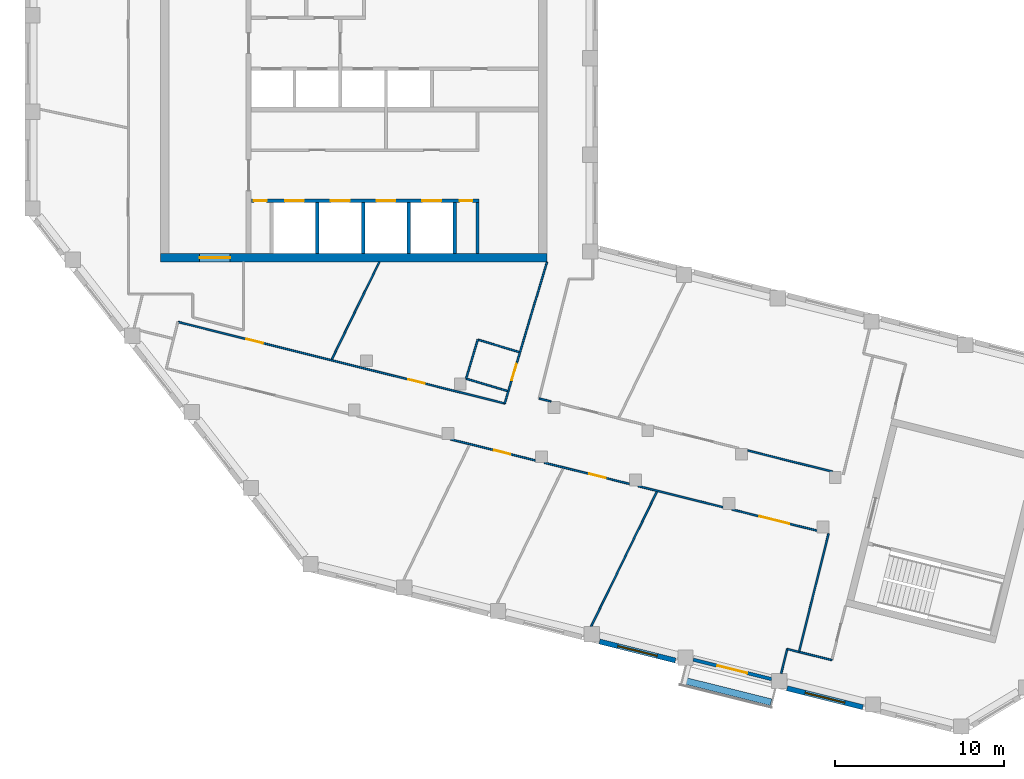
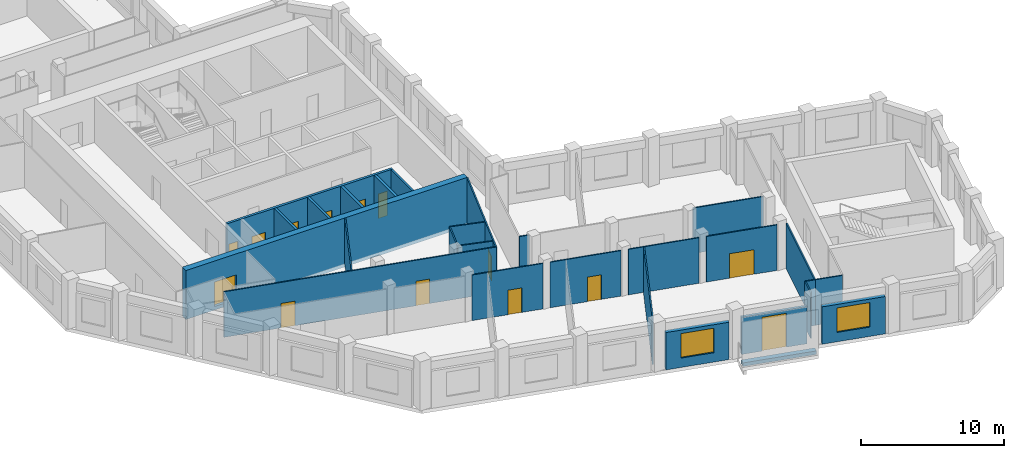
# One storey, part 3 of 8: 28 walls, 14 doors, 2 windows, 16 openings.
"""IFC4 building model written with IfcOpenShell, lengths in metres."""

from ifc_helpers import new_model, si_unit, direction, frame, frame_2d, origin, place, context, subcontext, project, spatial, rectangle, extrude, material, layer, layer_set, type_object, element, fill, save


model = new_model("IFC4")

# Units and contexts
model_context = context("Model", 3, precision=1e-05, world=origin(), true_north=direction((0.0, 1.0)))
body_context = subcontext(model_context, "Body", "Model", "MODEL_VIEW")
ifc_project = project(units=[si_unit("LENGTHUNIT", "METRE"), si_unit("AREAUNIT", "SQUARE_METRE"), si_unit("VOLUMEUNIT", "CUBIC_METRE"), si_unit("PLANEANGLEUNIT", "RADIAN"), si_unit("MASSUNIT", "GRAM", prefix="KILO")], contexts=[model_context])

# Site, building, storey
site_placement = place(None, origin())
site = spatial("IfcSite", under=ifc_project, at=site_placement, CompositionType="ELEMENT")
building_placement = place(site_placement, origin())
building = spatial("IfcBuilding", under=site, at=building_placement, Name="Meshkara Civic Tower", CompositionType="ELEMENT")
storey_placement = place(building_placement, frame((0.0, 0.0, 375.0)))
storey = spatial("IfcBuildingStorey", under=building, at=storey_placement, Name="L86", CompositionType="ELEMENT", Elevation=375.0)

# Wall
ifc_material_1 = material(Name="Blockwork", Category="masonry")
ifc_layer_1 = layer(ifc_material_1, 0.14990234375)
ifc_layer_set_1 = layer_set([ifc_layer_1], Name="Core partition 150")
wall_type_1 = type_object("IfcWallType", Name="Core partition 150", PredefinedType="PARTITIONING", material=ifc_layer_set_1)
wall_1_placement = place(storey_placement, frame((26.699951171875, 14.60009765625, 0.0), z_axis=(0.0, 0.0, 1.0), x_axis=(0.0, 1.0, 0.0)))
element("IfcWall", 1, at=wall_1_placement, inside=storey, type_object=wall_type_1, Name="L86-C025", PredefinedType="PARTITIONING", context=body_context, shape_type="SweptSolid", body=[
    extrude(rectangle(XDim=3.0, YDim=0.14990234375, at=frame_2d((1.5, 0.0))), origin(), (0.0, 0.0, 1.0), 3.89990234375),
])

# Wall, opening, door
ifc_material_2 = material(Name="Concrete C50", Category="concrete")
ifc_layer_2 = layer(ifc_material_2, 0.5)
ifc_layer_set_2 = layer_set([ifc_layer_2], Name="Core ring wall 500 C50")
wall_type_2 = type_object("IfcWallType", Name="Core ring wall 500 C50", PredefinedType="SHEAR", material=ifc_layer_set_2)
wall_2_placement = place(storey_placement, frame((8.0, 14.35009765625, -0.300048828125), z_axis=(0.0, 0.0, 1.0), x_axis=(1.0, 0.0, 0.0)))
wall_2 = element("IfcWall", 2, at=wall_2_placement, inside=storey, type_object=wall_type_2, Name="L86-C001", PredefinedType="SHEAR", context=body_context, shape_type="SweptSolid", body=[
    extrude(rectangle(XDim=22.800048828125, YDim=0.5, at=frame_2d((11.39990234375, 0.0))), origin(), (0.0, 0.0, 1.0), 4.199951171875),
])
opening_1_placement = place(wall_2_placement, frame((2.300048828125, 0.0, 0.300048828125)))
opening_1 = element("IfcOpeningElement", 3, at=opening_1_placement, cuts=wall_2, Name="Opening L86-K023", PredefinedType="OPENING", context=body_context, shape_type="SweptSolid", body=[
    extrude(rectangle(XDim=1.800048828125, YDim=2.10009765625, at=frame_2d((0.89990234375, 1.050048828125))), frame((0.0, 0.260009765625, 0.0), z_axis=(0.0, -1.0, 0.0), x_axis=(1.0, 0.0, 0.0)), (0.0, 0.0, 1.0), 0.52001953125),
])
ifc_material_3 = material(Name="Fire-rated door leaf in steel frame", Category="steel")
door_type_1 = type_object("IfcDoorType", Name="Core double door 1800 EI 60", OperationType="DOUBLE_DOOR_SINGLE_SWING", PredefinedType="DOOR", material=ifc_material_3)
door_1_placement = place(opening_1_placement, origin())
door_1 = element("IfcDoor", 4, at=door_1_placement, inside=storey, type_object=door_type_1, Name="L86-K023", OperationType="DOUBLE_DOOR_SINGLE_SWING", OverallHeight=2.10009765625, OverallWidth=1.800048828125, PredefinedType="DOOR", context=body_context, shape_type="SweptSolid", body=[
    extrude(rectangle(XDim=1.800048828125, YDim=2.10009765625, at=frame_2d((0.89990234375, 1.050048828125))), frame((0.0, 0.02490234375, 0.0), z_axis=(0.0, -1.0, 0.0), x_axis=(1.0, 0.0, 0.0)), (0.0, 0.0, 1.0), 0.050048828125),
])
fill(opening_1, door_1)

# Wall, openings, doors
ifc_material_4 = material(Name="Corridor wall 100")
ifc_layer_3 = layer(ifc_material_4, 0.10009765625)
ifc_layer_set_3 = layer_set([ifc_layer_3], Name="Corridor wall 100")
wall_type_3 = type_object("IfcWallType", Name="Corridor wall 100", PredefinedType="PARTITIONING", material=ifc_layer_set_3)
wall_3_placement = place(storey_placement, frame((9.01708984375, 10.55810546875, 0.0), z_axis=(0.0, 0.0, 1.0), x_axis=(0.970297621765, -0.241914293082, 0.0)))
wall_3 = element("IfcWall", 5, at=wall_3_placement, inside=storey, type_object=wall_type_3, Name="L86-W007", PredefinedType="PARTITIONING", context=body_context, shape_type="SweptSolid", body=[
    extrude(rectangle(XDim=19.87939453125, YDim=0.10009765625, at=frame_2d((9.939697265625, 0.0))), origin(), (0.0, 0.0, 1.0), 3.89990234375),
])
opening_2_placement = place(wall_3_placement, frame((4.179931640625, 0.0, 0.0)))
opening_2 = element("IfcOpeningElement", 6, at=opening_2_placement, cuts=wall_3, Name="Opening L86-D007", PredefinedType="OPENING", context=body_context, shape_type="SweptSolid", body=[
    extrude(rectangle(XDim=1.0, YDim=2.10009765625, at=frame_2d((0.5, 1.050048828125))), frame((0.0, 0.06005859375, 0.0), z_axis=(0.0, -1.0, 0.0), x_axis=(1.0, 0.0, 0.0)), (0.0, 0.0, 1.0), 0.1201171875),
])
opening_3_placement = place(wall_3_placement, frame((14.01806640625, 0.0, 0.0)))
opening_3 = element("IfcOpeningElement", 7, at=opening_3_placement, cuts=wall_3, Name="Opening L86-D009", PredefinedType="OPENING", context=body_context, shape_type="SweptSolid", body=[
    extrude(rectangle(XDim=1.0, YDim=2.10009765625, at=frame_2d((0.5, 1.050048828125))), frame((0.0, 0.06005859375, 0.0), z_axis=(0.0, -1.0, 0.0), x_axis=(1.0, 0.0, 0.0)), (0.0, 0.0, 1.0), 0.1201171875),
])
ifc_material_5 = material(Name="Door 1000 x 2100")
door_type_2 = type_object("IfcDoorType", Name="Door 1000 x 2100", OperationType="SINGLE_SWING_LEFT", PredefinedType="DOOR", material=ifc_material_5)
door_2_placement = place(opening_2_placement, origin())
door_2 = element("IfcDoor", 8, at=door_2_placement, inside=storey, type_object=door_type_2, Name="L86-D007", OperationType="SINGLE_SWING_RIGHT", OverallHeight=2.10009765625, OverallWidth=1.0, PredefinedType="DOOR", context=body_context, shape_type="SweptSolid", body=[
    extrude(rectangle(XDim=1.0, YDim=2.10009765625, at=frame_2d((0.5, 1.050048828125))), frame((0.0, 0.02490234375, 0.0), z_axis=(0.0, -1.0, 0.0), x_axis=(1.0, 0.0, 0.0)), (0.0, 0.0, 1.0), 0.050048828125),
])
fill(opening_2, door_2)
door_3_placement = place(opening_3_placement, origin())
door_3 = element("IfcDoor", 9, at=door_3_placement, inside=storey, type_object=door_type_2, Name="L86-D009", OperationType="SINGLE_SWING_LEFT", OverallHeight=2.10009765625, OverallWidth=1.0, PredefinedType="DOOR", context=body_context, shape_type="SweptSolid", body=[
    extrude(rectangle(XDim=1.0, YDim=2.10009765625, at=frame_2d((0.5, 1.050048828125))), frame((0.0, 0.02490234375, 0.0), z_axis=(0.0, -1.0, 0.0), x_axis=(1.0, 0.0, 0.0)), (0.0, 0.0, 1.0), 0.050048828125),
])
fill(opening_3, door_3)

# Wall, opening, door
wall_4_placement = place(storey_placement, frame((25.117919921875, 3.631103515625, 0.0), z_axis=(0.0, 0.0, 1.0), x_axis=(0.970281210621, -0.241980107272, 0.0)))
wall_4 = element("IfcWall", 10, at=wall_4_placement, inside=storey, type_object=wall_type_3, Name="L86-W019", PredefinedType="PARTITIONING", context=body_context, shape_type="SweptSolid", body=[
    extrude(rectangle(XDim=5.170654296875, YDim=0.10009765625, at=frame_2d((2.58544921875, 0.0))), origin(), (0.0, 0.0, 1.0), 3.89990234375),
])
opening_4_placement = place(wall_4_placement, frame((2.62890625, 0.0, 0.0)))
opening_4 = element("IfcOpeningElement", 11, at=opening_4_placement, cuts=wall_4, Name="Opening L86-D003", PredefinedType="OPENING", context=body_context, shape_type="SweptSolid", body=[
    extrude(rectangle(XDim=1.0, YDim=2.10009765625, at=frame_2d((0.5, 1.050048828125))), frame((0.0, 0.06005859375, 0.0), z_axis=(0.0, -1.0, 0.0), x_axis=(1.0, 0.0, 0.0)), (0.0, 0.0, 1.0), 0.1201171875),
])
door_4_placement = place(opening_4_placement, origin())
door_4 = element("IfcDoor", 12, at=door_4_placement, inside=storey, type_object=door_type_2, Name="L86-D003", OperationType="SINGLE_SWING_RIGHT", OverallHeight=2.10009765625, OverallWidth=1.0, PredefinedType="DOOR", context=body_context, shape_type="SweptSolid", body=[
    extrude(rectangle(XDim=1.0, YDim=2.10009765625, at=frame_2d((0.5, 1.050048828125))), frame((0.0, 0.02490234375, 0.0), z_axis=(0.0, -1.0, 0.0), x_axis=(1.0, 0.0, 0.0)), (0.0, 0.0, 1.0), 0.050048828125),
])
fill(opening_4, door_4)

wall_5_placement = place(storey_placement, frame((28.305908203125, 5.7490234375, 0.0), z_axis=(0.0, 0.0, 1.0), x_axis=(0.286170650389, 0.958178667502, 0.0)))
wall_5 = element("IfcWall", 13, at=wall_5_placement, inside=storey, type_object=wall_type_3, Name="L86-W020", PredefinedType="PARTITIONING", context=body_context, shape_type="SweptSolid", body=[
    extrude(rectangle(XDim=8.715576171875, YDim=0.10009765625, at=frame_2d((4.35791015625, 0.0))), origin(), (0.0, 0.0, 1.0), 3.89990234375),
])
opening_5_placement = place(wall_5_placement, frame((1.429931640625, 0.0, 0.0)))
opening_5 = element("IfcOpeningElement", 14, at=opening_5_placement, cuts=wall_5, Name="Opening L86-D010", PredefinedType="OPENING", context=body_context, shape_type="SweptSolid", body=[
    extrude(rectangle(XDim=1.0, YDim=2.10009765625, at=frame_2d((0.5, 1.050048828125))), frame((0.0, 0.06005859375, 0.0), z_axis=(0.0, -1.0, 0.0), x_axis=(1.0, 0.0, 0.0)), (0.0, 0.0, 1.0), 0.1201171875),
])
door_5_placement = place(opening_5_placement, origin())
door_5 = element("IfcDoor", 15, at=door_5_placement, inside=storey, type_object=door_type_2, Name="L86-D010", OperationType="SINGLE_SWING_LEFT", OverallHeight=2.10009765625, OverallWidth=1.0, PredefinedType="DOOR", context=body_context, shape_type="SweptSolid", body=[
    extrude(rectangle(XDim=1.0, YDim=2.10009765625, at=frame_2d((0.5, 1.050048828125))), frame((0.0, 0.02490234375, 0.0), z_axis=(0.0, -1.0, 0.0), x_axis=(1.0, 0.0, 0.0)), (0.0, 0.0, 1.0), 0.050048828125),
])
fill(opening_5, door_5)

wall_6_placement = place(storey_placement, frame((30.64892578125, 2.251953125, 0.0), z_axis=(0.0, 0.0, 1.0), x_axis=(0.970292295429, -0.241935655561, 0.0)))
wall_6 = element("IfcWall", 16, at=wall_6_placement, inside=storey, type_object=wall_type_3, Name="L86-W022", PredefinedType="PARTITIONING", context=body_context, shape_type="SweptSolid", body=[
    extrude(rectangle(XDim=5.170654296875, YDim=0.10009765625, at=frame_2d((2.58544921875, 0.0))), origin(), (0.0, 0.0, 1.0), 3.89990234375),
])
opening_6_placement = place(wall_6_placement, frame((2.72900390625, 0.0, 0.0)))
opening_6 = element("IfcOpeningElement", 17, at=opening_6_placement, cuts=wall_6, Name="Opening L86-D005", PredefinedType="OPENING", context=body_context, shape_type="SweptSolid", body=[
    extrude(rectangle(XDim=1.0, YDim=2.10009765625, at=frame_2d((0.5, 1.050048828125))), frame((0.0, 0.06005859375, 0.0), z_axis=(0.0, -1.0, 0.0), x_axis=(1.0, 0.0, 0.0)), (0.0, 0.0, 1.0), 0.1201171875),
])
door_6_placement = place(opening_6_placement, origin())
door_6 = element("IfcDoor", 18, at=door_6_placement, inside=storey, type_object=door_type_2, Name="L86-D005", OperationType="SINGLE_SWING_LEFT", OverallHeight=2.10009765625, OverallWidth=1.0, PredefinedType="DOOR", context=body_context, shape_type="SweptSolid", body=[
    extrude(rectangle(XDim=1.0, YDim=2.10009765625, at=frame_2d((0.5, 1.050048828125))), frame((0.0, 0.02490234375, 0.0), z_axis=(0.0, -1.0, 0.0), x_axis=(1.0, 0.0, 0.0)), (0.0, 0.0, 1.0), 0.050048828125),
])
fill(opening_6, door_6)

# Walls
wall_7_placement = place(storey_placement, frame((31.0458984375, 5.863037109375, 0.0), z_axis=(0.0, 0.0, 1.0), x_axis=(-0.970299315901, 0.241907497946, 0.0)))
element("IfcWall", 19, at=wall_7_placement, inside=storey, type_object=wall_type_3, Name="L86-W024", PredefinedType="PARTITIONING", context=body_context, shape_type="SweptSolid", body=[
    extrude(rectangle(XDim=0.731689453125, YDim=0.10009765625, at=frame_2d((0.36572265625, 0.0))), origin(), (0.0, 0.0, 1.0), 3.89990234375),
])
wall_8_placement = place(storey_placement, frame((36.179931640625, 0.873046875, 0.0), z_axis=(0.0, 0.0, 1.0), x_axis=(0.970325574738, -0.241802148479, 0.0)))
element("IfcWall", 20, at=wall_8_placement, inside=storey, type_object=wall_type_3, Name="L86-W028", PredefinedType="PARTITIONING", context=body_context, shape_type="SweptSolid", body=[
    extrude(rectangle(XDim=5.16943359375, YDim=0.10009765625, at=frame_2d((2.584716796875, 0.0))), origin(), (0.0, 0.0, 1.0), 3.89990234375),
])

# Wall, opening, door
wall_9_placement = place(storey_placement, frame((41.7119140625, -0.506103515625, 0.0), z_axis=(0.0, 0.0, 1.0), x_axis=(0.970314526579, -0.241846479217, 0.0)))
wall_9 = element("IfcWall", 21, at=wall_9_placement, inside=storey, type_object=wall_type_3, Name="L86-W029", PredefinedType="PARTITIONING", context=body_context, shape_type="SweptSolid", body=[
    extrude(rectangle(XDim=5.16845703125, YDim=0.10009765625, at=frame_2d((2.584228515625, 0.0))), origin(), (0.0, 0.0, 1.0), 3.89990234375),
])
opening_7_placement = place(wall_9_placement, frame((1.679931640625, 0.0, 0.0)))
opening_7 = element("IfcOpeningElement", 22, at=opening_7_placement, cuts=wall_9, Name="Opening L86-D002", PredefinedType="OPENING", context=body_context, shape_type="SweptSolid", body=[
    extrude(rectangle(XDim=1.800048828125, YDim=2.10009765625, at=frame_2d((0.89990234375, 1.050048828125))), frame((0.0, 0.06005859375, 0.0), z_axis=(0.0, -1.0, 0.0), x_axis=(1.0, 0.0, 0.0)), (0.0, 0.0, 1.0), 0.1201171875),
])
ifc_material_6 = material(Name="Door pair 1800 x 2100")
door_type_3 = type_object("IfcDoorType", Name="Door pair 1800 x 2100", OperationType="SINGLE_SWING_LEFT", PredefinedType="DOOR", material=ifc_material_6)
door_7_placement = place(opening_7_placement, origin())
door_7 = element("IfcDoor", 23, at=door_7_placement, inside=storey, type_object=door_type_3, Name="L86-D002", OperationType="DOUBLE_DOOR_SINGLE_SWING", OverallHeight=2.10009765625, OverallWidth=1.800048828125, PredefinedType="DOOR", context=body_context, shape_type="SweptSolid", body=[
    extrude(rectangle(XDim=1.800048828125, YDim=2.10009765625, at=frame_2d((0.89990234375, 1.050048828125))), frame((0.0, 0.02490234375, 0.0), z_axis=(0.0, -1.0, 0.0), x_axis=(1.0, 0.0, 0.0)), (0.0, 0.0, 1.0), 0.050048828125),
])
fill(opening_7, door_7)

# Walls
wall_10_placement = place(storey_placement, frame((45.669921875, -8.9130859375, 0.0), z_axis=(0.0, 0.0, 1.0), x_axis=(0.970307382734, -0.241875139301, 0.0)))
element("IfcWall", 24, at=wall_10_placement, inside=storey, type_object=wall_type_3, Name="L86-W031", PredefinedType="PARTITIONING", context=body_context, shape_type="SweptSolid", body=[
    extrude(rectangle(XDim=2.00048828125, YDim=0.10009765625, at=frame_2d((1.000244140625, 0.0))), origin(), (0.0, 0.0, 1.0), 3.89990234375),
])
wall_11_placement = place(storey_placement, frame((47.412109375, -1.927001953125, 0.0), z_axis=(0.0, 0.0, 1.0), x_axis=(-0.241969116819, -0.970283951483, 0.0)))
element("IfcWall", 25, at=wall_11_placement, inside=storey, type_object=wall_type_3, Name="L86-W032", PredefinedType="PARTITIONING", context=body_context, shape_type="SweptSolid", body=[
    extrude(rectangle(XDim=7.199951171875, YDim=0.10009765625, at=frame_2d((3.60009765625, 0.0))), origin(), (0.0, 0.0, 1.0), 3.89990234375),
])
wall_12_placement = place(storey_placement, frame((47.64111328125, 1.72607421875, 0.0), z_axis=(0.0, 0.0, 1.0), x_axis=(-0.97031439286, 0.241847015712, 0.0)))
element("IfcWall", 26, at=wall_12_placement, inside=storey, type_object=wall_type_3, Name="L86-W034", PredefinedType="PARTITIONING", context=body_context, shape_type="SweptSolid", body=[
    extrude(rectangle(XDim=5.172607421875, YDim=0.10009765625, at=frame_2d((2.58642578125, 0.0))), origin(), (0.0, 0.0, 1.0), 3.89990234375),
])

# Wall, opening, window
ifc_material_7 = material(Name="Insulated infill panel with bronze anodised aluminium cladding", Category="aluminium")
ifc_layer_4 = layer(ifc_material_7, 0.300048828125)
ifc_layer_set_4 = layer_set([ifc_layer_4], Name="EXTERNAL INFILL WALL 300")
wall_type_4 = type_object("IfcWallType", Name="EXTERNAL INFILL WALL 300", PredefinedType="SOLIDWALL", material=ifc_layer_set_4)
wall_13_placement = place(storey_placement, frame((33.89990234375, -8.298095703125, 0.0), z_axis=(0.0, 0.0, 1.0), x_axis=(0.970298093093, -0.241912402618, 0.0)))
wall_13 = element("IfcWall", 27, at=wall_13_placement, inside=storey, type_object=wall_type_4, Name="External wall", PredefinedType="SOLIDWALL", context=body_context, shape_type="SweptSolid", body=[
    extrude(rectangle(XDim=4.609130859375, YDim=0.300048828125, at=frame_2d((2.3046875, 0.0))), origin(), (0.0, 0.0, 1.0), 3.199951171875),
])
opening_8_placement = place(wall_13_placement, frame((1.10498046875, 0.0, 0.800048828125)))
opening_8 = element("IfcOpeningElement", 28, at=opening_8_placement, cuts=wall_13, Name="Opening W7", PredefinedType="OPENING", context=body_context, shape_type="SweptSolid", body=[
    extrude(rectangle(XDim=2.39990234375, YDim=2.10009765625, at=frame_2d((1.199951171875, 1.050048828125))), frame((0.0, 0.159912109375, 0.0), z_axis=(0.0, -1.0, 0.0), x_axis=(1.0, 0.0, 0.0)), (0.0, 0.0, 1.0), 0.320068359375),
])
ifc_material_8 = material(Name="Tinted double glazing", Category="glass")
window_type = type_object("IfcWindowType", Name="WINDOW 2400x2100", PartitioningType="DOUBLE_PANEL_VERTICAL", PredefinedType="WINDOW", material=ifc_material_8)
window_1_placement = place(opening_8_placement, origin())
window_1 = element("IfcWindow", 29, at=window_1_placement, inside=storey, type_object=window_type, Name="Window", OverallHeight=2.10009765625, OverallWidth=2.39990234375, PartitioningType="DOUBLE_PANEL_VERTICAL", PredefinedType="WINDOW", context=body_context, shape_type="SweptSolid", body=[
    extrude(rectangle(XDim=2.39990234375, YDim=2.10009765625, at=frame_2d((1.199951171875, 1.050048828125))), frame((0.0, 0.030029296875, 0.0), z_axis=(0.0, -1.0, 0.0), x_axis=(1.0, 0.0, 0.0)), (0.0, 0.0, 1.0), 0.06005859375),
])
fill(opening_8, window_1)

wall_14_placement = place(storey_placement, frame((44.9609375, -11.055908203125, 0.0), z_axis=(0.0, 0.0, 1.0), x_axis=(0.970298093093, -0.241912402618, 0.0)))
wall_14 = element("IfcWall", 30, at=wall_14_placement, inside=storey, type_object=wall_type_4, Name="External wall", PredefinedType="SOLIDWALL", context=body_context, shape_type="SweptSolid", body=[
    extrude(rectangle(XDim=4.609130859375, YDim=0.300048828125, at=frame_2d((2.3046875, 0.0))), origin(), (0.0, 0.0, 1.0), 3.199951171875),
])
opening_9_placement = place(wall_14_placement, frame((1.10498046875, 0.0, 0.800048828125)))
opening_9 = element("IfcOpeningElement", 31, at=opening_9_placement, cuts=wall_14, Name="Opening W7", PredefinedType="OPENING", context=body_context, shape_type="SweptSolid", body=[
    extrude(rectangle(XDim=2.39990234375, YDim=2.10009765625, at=frame_2d((1.199951171875, 1.050048828125))), frame((0.0, 0.159912109375, 0.0), z_axis=(0.0, -1.0, 0.0), x_axis=(1.0, 0.0, 0.0)), (0.0, 0.0, 1.0), 0.320068359375),
])
window_2_placement = place(opening_9_placement, origin())
window_2 = element("IfcWindow", 32, at=window_2_placement, inside=storey, type_object=window_type, Name="Window", OverallHeight=2.10009765625, OverallWidth=2.39990234375, PartitioningType="DOUBLE_PANEL_VERTICAL", PredefinedType="WINDOW", context=body_context, shape_type="SweptSolid", body=[
    extrude(rectangle(XDim=2.39990234375, YDim=2.10009765625, at=frame_2d((1.199951171875, 1.050048828125))), frame((0.0, 0.030029296875, 0.0), z_axis=(0.0, -1.0, 0.0), x_axis=(1.0, 0.0, 0.0)), (0.0, 0.0, 1.0), 0.06005859375),
])
fill(opening_9, window_2)

# Wall, opening, door
ifc_material_9 = material(Name="Insulated infill panel with bronze anodised aluminium cladding", Category="aluminium")
ifc_layer_5 = layer(ifc_material_9, 0.199951171875)
ifc_layer_set_5 = layer_set([ifc_layer_5], Name="LOGGIA BACK WALL 200")
wall_type_5 = type_object("IfcWallType", Name="LOGGIA BACK WALL 200", PredefinedType="SOLIDWALL", material=ifc_layer_set_5)
wall_15_placement = place(storey_placement, frame((39.424072265625, -9.365966796875, 0.0), z_axis=(0.0, 0.0, 1.0), x_axis=(0.9703108125, -0.241861380019, 0.0)))
wall_15 = element("IfcWall", 33, at=wall_15_placement, inside=storey, type_object=wall_type_5, Name="Loggia wall", PredefinedType="SOLIDWALL", context=body_context, shape_type="SweptSolid", body=[
    extrude(rectangle(XDim=4.771484375, YDim=0.199951171875, at=frame_2d((2.3857421875, 0.0))), origin(), (0.0, 0.0, 1.0), 3.199951171875),
])
opening_10_placement = place(wall_15_placement, frame((1.485107421875, 0.0, 0.0)))
opening_10 = element("IfcOpeningElement", 34, at=opening_10_placement, cuts=wall_15, Name="Opening L86-L002", PredefinedType="OPENING", context=body_context, shape_type="SweptSolid", body=[
    extrude(rectangle(XDim=1.800048828125, YDim=2.89990234375, at=frame_2d((0.89990234375, 1.449951171875))), frame((0.0, 0.10986328125, 0.0), z_axis=(0.0, -1.0, 0.0), x_axis=(1.0, 0.0, 0.0)), (0.0, 0.0, 1.0), 0.219970703125),
])
ifc_material_10 = material(Name="Tinted double glazing", Category="glass")
door_type_4 = type_object("IfcDoorType", Name="LOGGIA DOOR 1800x2900", OperationType="DOUBLE_DOOR_SINGLE_SWING", PredefinedType="DOOR", material=ifc_material_10)
door_8_placement = place(opening_10_placement, origin())
door_8 = element("IfcDoor", 35, at=door_8_placement, inside=storey, type_object=door_type_4, Name="L86-L002", OperationType="DOUBLE_DOOR_SINGLE_SWING", OverallHeight=2.89990234375, OverallWidth=1.800048828125, PredefinedType="DOOR", context=body_context, shape_type="SweptSolid", body=[
    extrude(rectangle(XDim=1.800048828125, YDim=2.89990234375, at=frame_2d((0.89990234375, 1.449951171875))), frame((0.0, 0.02490234375, 0.0), z_axis=(0.0, -1.0, 0.0), x_axis=(1.0, 0.0, 0.0)), (0.0, 0.0, 1.0), 0.050048828125),
])
fill(opening_10, door_8)

# Walls
ifc_material_11 = material(Name="Concrete C40", Category="concrete")
ifc_layer_6 = layer(ifc_material_11, 0.39990234375)
ifc_layer_set_6 = layer_set([ifc_layer_6], Name="PLANTER TRAY")
wall_type_6 = type_object("IfcWallType", Name="PLANTER TRAY", PredefinedType="SOLIDWALL", material=ifc_layer_set_6)
wall_16_placement = place(storey_placement, frame((38.81689453125, -10.5849609375, 0.0), z_axis=(0.0, 0.0, 1.0), x_axis=(0.970270982915, -0.242021114189, 0.0)))
element("IfcWall", 36, at=wall_16_placement, inside=storey, type_object=wall_type_6, Name="Planter", PredefinedType="SOLIDWALL", context=body_context, shape_type="SweptSolid", body=[
    extrude(rectangle(XDim=5.359619140625, YDim=0.39990234375, at=frame_2d((2.6796875, 0.0))), origin(), (0.0, 0.0, 1.0), 0.300048828125),
])
ifc_material_12 = material(Name="Partition 100")
ifc_layer_7 = layer(ifc_material_12, 0.10009765625)
ifc_layer_set_7 = layer_set([ifc_layer_7], Name="Partition 100")
wall_type_7 = type_object("IfcWallType", Name="Partition 100", PredefinedType="PARTITIONING", material=ifc_layer_set_7)
wall_17_placement = place(storey_placement, frame((18.10498046875, 8.35400390625, 0.0), z_axis=(0.0, 0.0, 1.0), x_axis=(0.438424384383, 0.898768078638, 0.0)))
element("IfcWall", 37, at=wall_17_placement, inside=storey, type_object=wall_type_7, Name="L86-W044", PredefinedType="PARTITIONING", context=body_context, shape_type="SweptSolid", body=[
    extrude(rectangle(XDim=6.393310546875, YDim=0.10009765625, at=frame_2d((3.19677734375, 0.0))), origin(), (0.0, 0.0, 1.0), 3.89990234375),
])
wall_18_placement = place(storey_placement, frame((26.030029296875, 7.214111328125, 0.0), z_axis=(0.0, 0.0, 1.0), x_axis=(0.286077381682, 0.958206518288, 0.0)))
element("IfcWall", 38, at=wall_18_placement, inside=storey, type_object=wall_type_7, Name="L86-W046", PredefinedType="PARTITIONING", context=body_context, shape_type="SweptSolid", body=[
    extrude(rectangle(XDim=2.398193359375, YDim=0.10009765625, at=frame_2d((1.19921875, 0.0))), origin(), (0.0, 0.0, 1.0), 3.89990234375),
])
wall_19_placement = place(storey_placement, frame((26.716064453125, 9.511962890625, 0.0), z_axis=(0.0, 0.0, 1.0), x_axis=(0.958168093169, -0.286206053804, 0.0)))
element("IfcWall", 39, at=wall_19_placement, inside=storey, type_object=wall_type_7, Name="L86-W047", PredefinedType="PARTITIONING", context=body_context, shape_type="SweptSolid", body=[
    extrude(rectangle(XDim=2.550537109375, YDim=0.10009765625, at=frame_2d((1.275390625, 0.0))), origin(), (0.0, 0.0, 1.0), 3.89990234375),
])
wall_20_placement = place(storey_placement, frame((28.472900390625, 6.48193359375, 0.0), z_axis=(0.0, 0.0, 1.0), x_axis=(-0.958136712348, 0.286311090338, 0.0)))
element("IfcWall", 40, at=wall_20_placement, inside=storey, type_object=wall_type_7, Name="L86-W049", PredefinedType="PARTITIONING", context=body_context, shape_type="SweptSolid", body=[
    extrude(rectangle(XDim=2.549560546875, YDim=0.10009765625, at=frame_2d((1.27490234375, 0.0))), origin(), (0.0, 0.0, 1.0), 3.89990234375),
])
wall_21_placement = place(storey_placement, frame((33.39697265625, -7.425048828125, 0.0), z_axis=(0.0, 0.0, 1.0), x_axis=(0.43833946726, 0.898809496747, 0.0)))
element("IfcWall", 41, at=wall_21_placement, inside=storey, type_object=wall_type_7, Name="L86-W050", PredefinedType="PARTITIONING", context=body_context, shape_type="SweptSolid", body=[
    extrude(rectangle(XDim=8.858642578125, YDim=0.10009765625, at=frame_2d((4.42919921875, 0.0))), origin(), (0.0, 0.0, 1.0), 3.89990234375),
])
wall_22_placement = place(storey_placement, frame((44.616943359375, -10.18310546875, 0.0), z_axis=(0.0, 0.0, 1.0), x_axis=(0.242110761362, 0.970248617228, 0.0)))
element("IfcWall", 42, at=wall_22_placement, inside=storey, type_object=wall_type_7, Name="L86-W052", PredefinedType="PARTITIONING", context=body_context, shape_type="SweptSolid", body=[
    extrude(rectangle(XDim=1.4873046875, YDim=0.10009765625, at=frame_2d((0.74365234375, 0.0))), origin(), (0.0, 0.0, 1.0), 3.89990234375),
])
wall_23_placement = place(storey_placement, frame((44.97705078125, -8.739990234375, 0.0), z_axis=(0.0, 0.0, 1.0), x_axis=(0.970202439735, -0.242295740641, 0.0)))
element("IfcWall", 43, at=wall_23_placement, inside=storey, type_object=wall_type_7, Name="L86-W053", PredefinedType="PARTITIONING", context=body_context, shape_type="SweptSolid", body=[
    extrude(rectangle(XDim=0.718505859375, YDim=0.10009765625, at=frame_2d((0.359375, 0.0))), origin(), (0.0, 0.0, 1.0), 3.89990234375),
])

# Wall, openings, doors
ifc_material_13 = material(Name="Concrete C40/50", Category="concrete")
ifc_layer_8 = layer(ifc_material_13, 0.199951171875)
ifc_layer_set_8 = layer_set([ifc_layer_8], Name="Shaft wall 200 C40/50")
wall_type_8 = type_object("IfcWallType", Name="Shaft wall 200 C40/50", PredefinedType="SOLIDWALL", material=ifc_layer_set_8)
wall_24_placement = place(storey_placement, frame((13.35009765625, 17.699951171875, 0.0), z_axis=(0.0, 0.0, 1.0), x_axis=(1.0, 0.0, 0.0)))
wall_24 = element("IfcWall", 44, at=wall_24_placement, inside=storey, type_object=wall_type_8, Name="L86-C005", PredefinedType="SOLIDWALL", context=body_context, shape_type="SweptSolid", body=[
    extrude(rectangle(XDim=13.4248046875, YDim=0.199951171875, at=frame_2d((6.71240234375, 0.0))), origin(), (0.0, 0.0, 1.0), 3.89990234375),
])
opening_11_placement = place(wall_24_placement, frame((2.0, 0.0, 0.0)))
opening_11 = element("IfcOpeningElement", 45, at=opening_11_placement, cuts=wall_24, Name="Opening L86-K001", PredefinedType="OPENING", context=body_context, shape_type="SweptSolid", body=[
    extrude(rectangle(XDim=1.10009765625, YDim=2.10009765625, at=frame_2d((0.550048828125, 1.050048828125))), frame((0.0, 0.10986328125, 0.0), z_axis=(0.0, -1.0, 0.0), x_axis=(1.0, 0.0, 0.0)), (0.0, 0.0, 1.0), 0.219970703125),
])
opening_12_placement = place(wall_24_placement, frame((4.699951171875, 0.0, 0.0)))
opening_12 = element("IfcOpeningElement", 46, at=opening_12_placement, cuts=wall_24, Name="Opening L86-K002", PredefinedType="OPENING", context=body_context, shape_type="SweptSolid", body=[
    extrude(rectangle(XDim=1.10009765625, YDim=2.10009765625, at=frame_2d((0.550048828125, 1.050048828125))), frame((0.0, 0.10986328125, 0.0), z_axis=(0.0, -1.0, 0.0), x_axis=(1.0, 0.0, 0.0)), (0.0, 0.0, 1.0), 0.219970703125),
])
opening_13_placement = place(wall_24_placement, frame((7.39990234375, 0.0, 0.0)))
opening_13 = element("IfcOpeningElement", 47, at=opening_13_placement, cuts=wall_24, Name="Opening L86-K003", PredefinedType="OPENING", context=body_context, shape_type="SweptSolid", body=[
    extrude(rectangle(XDim=1.10009765625, YDim=2.10009765625, at=frame_2d((0.550048828125, 1.050048828125))), frame((0.0, 0.10986328125, 0.0), z_axis=(0.0, -1.0, 0.0), x_axis=(1.0, 0.0, 0.0)), (0.0, 0.0, 1.0), 0.219970703125),
])
opening_14_placement = place(wall_24_placement, frame((10.10009765625, 0.0, 0.0)))
opening_14 = element("IfcOpeningElement", 48, at=opening_14_placement, cuts=wall_24, Name="Opening L86-K004", PredefinedType="OPENING", context=body_context, shape_type="SweptSolid", body=[
    extrude(rectangle(XDim=1.10009765625, YDim=2.10009765625, at=frame_2d((0.550048828125, 1.050048828125))), frame((0.0, 0.10986328125, 0.0), z_axis=(0.0, -1.0, 0.0), x_axis=(1.0, 0.0, 0.0)), (0.0, 0.0, 1.0), 0.219970703125),
])
opening_15_placement = place(wall_24_placement, frame((0.14990234375, 0.0, 0.0)))
opening_15 = element("IfcOpeningElement", 49, at=opening_15_placement, cuts=wall_24, Name="Opening L86-K009", PredefinedType="OPENING", context=body_context, shape_type="SweptSolid", body=[
    extrude(rectangle(XDim=0.75, YDim=2.10009765625, at=frame_2d((0.375, 1.050048828125))), frame((0.0, 0.10986328125, 0.0), z_axis=(0.0, -1.0, 0.0), x_axis=(1.0, 0.0, 0.0)), (0.0, 0.0, 1.0), 0.219970703125),
])
opening_16_placement = place(wall_24_placement, frame((12.300048828125, 0.0, 0.0)))
opening_16 = element("IfcOpeningElement", 50, at=opening_16_placement, cuts=wall_24, Name="Opening L86-K010", PredefinedType="OPENING", context=body_context, shape_type="SweptSolid", body=[
    extrude(rectangle(XDim=0.75, YDim=2.10009765625, at=frame_2d((0.375, 1.050048828125))), frame((0.0, 0.10986328125, 0.0), z_axis=(0.0, -1.0, 0.0), x_axis=(1.0, 0.0, 0.0)), (0.0, 0.0, 1.0), 0.219970703125),
])
ifc_material_14 = material(Name="Timber door leaf in steel frame", Category="steel")
door_type_5 = type_object("IfcDoorType", Name="Core room door 750", OperationType="SINGLE_SWING_LEFT", PredefinedType="DOOR", material=ifc_material_14)
door_9_placement = place(opening_15_placement, origin())
door_9 = element("IfcDoor", 51, at=door_9_placement, inside=storey, type_object=door_type_5, Name="L86-K009", OperationType="SINGLE_SWING_RIGHT", OverallHeight=2.10009765625, OverallWidth=0.75, PredefinedType="DOOR", context=body_context, shape_type="SweptSolid", body=[
    extrude(rectangle(XDim=0.75, YDim=2.10009765625, at=frame_2d((0.375, 1.050048828125))), frame((0.0, 0.02490234375, 0.0), z_axis=(0.0, -1.0, 0.0), x_axis=(1.0, 0.0, 0.0)), (0.0, 0.0, 1.0), 0.050048828125),
])
fill(opening_15, door_9)
door_10_placement = place(opening_16_placement, origin())
door_10 = element("IfcDoor", 52, at=door_10_placement, inside=storey, type_object=door_type_5, Name="L86-K010", OperationType="SINGLE_SWING_RIGHT", OverallHeight=2.10009765625, OverallWidth=0.75, PredefinedType="DOOR", context=body_context, shape_type="SweptSolid", body=[
    extrude(rectangle(XDim=0.75, YDim=2.10009765625, at=frame_2d((0.375, 1.050048828125))), frame((0.0, 0.02490234375, 0.0), z_axis=(0.0, -1.0, 0.0), x_axis=(1.0, 0.0, 0.0)), (0.0, 0.0, 1.0), 0.050048828125),
])
fill(opening_16, door_10)
ifc_material_15 = material(Name="Stainless steel landing door", Category="steel")
door_type_6 = type_object("IfcDoorType", Name="Lift landing door 1100", OperationType="SLIDING_TO_LEFT", PredefinedType="DOOR", material=ifc_material_15)
door_11_placement = place(opening_11_placement, origin())
door_11 = element("IfcDoor", 53, at=door_11_placement, inside=storey, type_object=door_type_6, Name="L86-K001", OperationType="SLIDING_TO_LEFT", OverallHeight=2.10009765625, OverallWidth=1.10009765625, PredefinedType="DOOR", context=body_context, shape_type="SweptSolid", body=[
    extrude(rectangle(XDim=1.10009765625, YDim=2.10009765625, at=frame_2d((0.550048828125, 1.050048828125))), frame((0.0, 0.02490234375, 0.0), z_axis=(0.0, -1.0, 0.0), x_axis=(1.0, 0.0, 0.0)), (0.0, 0.0, 1.0), 0.050048828125),
])
fill(opening_11, door_11)
door_12_placement = place(opening_12_placement, origin())
door_12 = element("IfcDoor", 54, at=door_12_placement, inside=storey, type_object=door_type_6, Name="L86-K002", OperationType="SLIDING_TO_LEFT", OverallHeight=2.10009765625, OverallWidth=1.10009765625, PredefinedType="DOOR", context=body_context, shape_type="SweptSolid", body=[
    extrude(rectangle(XDim=1.10009765625, YDim=2.10009765625, at=frame_2d((0.550048828125, 1.050048828125))), frame((0.0, 0.02490234375, 0.0), z_axis=(0.0, -1.0, 0.0), x_axis=(1.0, 0.0, 0.0)), (0.0, 0.0, 1.0), 0.050048828125),
])
fill(opening_12, door_12)
door_13_placement = place(opening_13_placement, origin())
door_13 = element("IfcDoor", 55, at=door_13_placement, inside=storey, type_object=door_type_6, Name="L86-K003", OperationType="SLIDING_TO_LEFT", OverallHeight=2.10009765625, OverallWidth=1.10009765625, PredefinedType="DOOR", context=body_context, shape_type="SweptSolid", body=[
    extrude(rectangle(XDim=1.10009765625, YDim=2.10009765625, at=frame_2d((0.550048828125, 1.050048828125))), frame((0.0, 0.02490234375, 0.0), z_axis=(0.0, -1.0, 0.0), x_axis=(1.0, 0.0, 0.0)), (0.0, 0.0, 1.0), 0.050048828125),
])
fill(opening_13, door_13)
door_14_placement = place(opening_14_placement, origin())
door_14 = element("IfcDoor", 56, at=door_14_placement, inside=storey, type_object=door_type_6, Name="L86-K004", OperationType="SLIDING_TO_LEFT", OverallHeight=2.10009765625, OverallWidth=1.10009765625, PredefinedType="DOOR", context=body_context, shape_type="SweptSolid", body=[
    extrude(rectangle(XDim=1.10009765625, YDim=2.10009765625, at=frame_2d((0.550048828125, 1.050048828125))), frame((0.0, 0.02490234375, 0.0), z_axis=(0.0, -1.0, 0.0), x_axis=(1.0, 0.0, 0.0)), (0.0, 0.0, 1.0), 0.050048828125),
])
fill(opening_14, door_14)

# Walls
for number, where, z_axis, x_axis, name in (
    (57, (17.25, 14.60009765625, 0.0), (0.0, 0.0, 1.0), (0.0, 1.0, 0.0), "L86-C015"),
    (58, (19.949951171875, 14.60009765625, 0.0), (0.0, 0.0, 1.0), (0.0, 1.0, 0.0), "L86-C017"),
    (59, (22.64990234375, 14.60009765625, 0.0), (0.0, 0.0, 1.0), (0.0, 1.0, 0.0), "L86-C021"),
    (60, (25.35009765625, 14.60009765625, 0.0), (0.0, 0.0, 1.0), (0.0, 1.0, 0.0), "L86-C023"),
):
    element("IfcWall", number, at=place(storey_placement, frame(where, z_axis=z_axis, x_axis=x_axis)), inside=storey, type_object=wall_type_8, Name=name, PredefinedType="SOLIDWALL", context=body_context, shape_type="SweptSolid", body=[
        extrude(rectangle(XDim=3.0, YDim=0.199951171875, at=frame_2d((1.5, 0.0))), origin(), (0.0, 0.0, 1.0), 3.89990234375),
    ])

save(model, "model.ifc")
